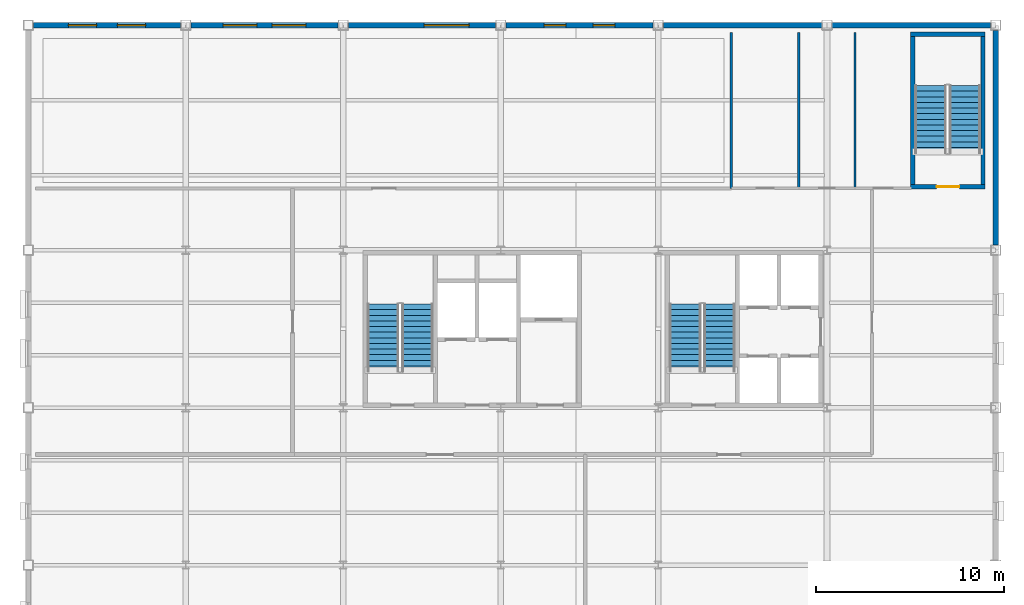
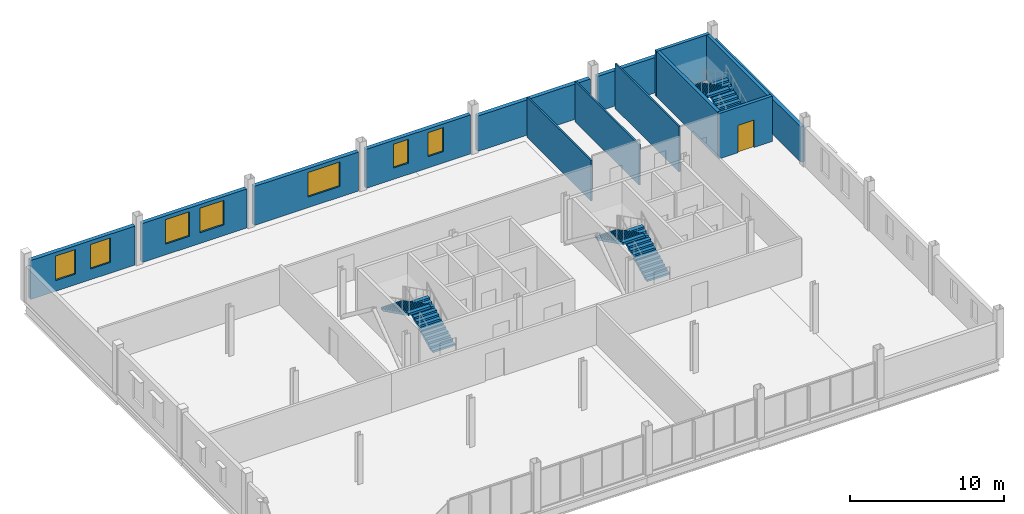
# One storey, part 14 of 17: 14 walls, 7 windows, 6 stair flights, 1 door, 8 openings, 3 elements without a shape of their own.
"""IFC4 building model written with IfcOpenShell, lengths in metres."""

from ifc_helpers import new_model, si_unit, direction, frame, frame_2d, origin, place, context, subcontext, project, spatial, polyline, rectangle, outline, extrude, material, layer, layer_set, type_object, element, fill, aggregate, save


model = new_model("IFC4")

# Units and contexts
model_context = context("Model", 3, precision=1e-05, world=origin(), true_north=direction((0.0, 1.0)))
body_context = subcontext(model_context, "Body", "Model", "MODEL_VIEW")
ifc_project = project(units=[si_unit("LENGTHUNIT", "METRE"), si_unit("AREAUNIT", "SQUARE_METRE"), si_unit("VOLUMEUNIT", "CUBIC_METRE"), si_unit("PLANEANGLEUNIT", "RADIAN"), si_unit("MASSUNIT", "GRAM", prefix="KILO")], contexts=[model_context])

# Site, building, storey
site_placement = place(None, origin())
site = spatial("IfcSite", under=ifc_project, at=site_placement, CompositionType="ELEMENT")
building_placement = place(site_placement, origin())
building = spatial("IfcBuilding", under=site, at=building_placement, Name="Yukiwa Park Conservatory and Herbarium", CompositionType="ELEMENT")
storey_placement = place(building_placement, frame((0.0, 0.0, 17.10009765625)))
storey = spatial("IfcBuildingStorey", under=building, at=storey_placement, Name="L04", CompositionType="ELEMENT", Elevation=17.10009765625)

# Wall, opening, door
ifc_material_1 = material(Name="Concrete C50", Category="concrete")
ifc_layer_1 = layer(ifc_material_1, 0.239990234375)
ifc_layer_set_1 = layer_set([ifc_layer_1], Name="Concrete C50")
wall_type_1 = type_object("IfcWallType", Name="WL-CORE-RC240", PredefinedType="SHEAR", material=ifc_layer_set_1)
wall_1_placement = place(storey_placement, frame((163.449951171875, 106.580078125, 0.0), z_axis=(0.0, 0.0, 1.0), x_axis=(1.0, 0.0, 0.0)))
wall_1 = element("IfcWall", 1, at=wall_1_placement, inside=storey, type_object=wall_type_1, Name="L04 core shear wall 369", PredefinedType="SHEAR", context=body_context, shape_type="SweptSolid", body=[
    extrude(rectangle(XDim=3.989990234375, YDim=0.239990234375, at=frame_2d((1.9951171875, 0.0))), origin(), (0.0, 0.0, 1.0), 3.599853515625),
])
opening_1_placement = place(wall_1_placement, frame((1.39501953125, 0.0, 0.0)))
opening_1 = element("IfcOpeningElement", 2, at=opening_1_placement, cuts=wall_1, Name="Opening SD-01", PredefinedType="OPENING", context=body_context, shape_type="SweptSolid", body=[
    extrude(rectangle(XDim=1.219970703125, YDim=2.179931640625, at=frame_2d((0.60986328125, 1.08984375))), frame((0.0, 0.1298828125, 0.0), z_axis=(0.0, -1.0, 0.0), x_axis=(1.0, 0.0, 0.0)), (0.0, 0.0, 1.0), 0.260009765625),
])
ifc_material_2 = material(Name="Steel Q235B", Category="steel")
door_type = type_object("IfcDoorType", Name="DR-STAIR-FD90-1200", OperationType="SINGLE_SWING_LEFT", PredefinedType="DOOR", material=ifc_material_2)
door_placement = place(opening_1_placement, origin())
door = element("IfcDoor", 3, at=door_placement, inside=storey, type_object=door_type, Name="L04 Stairwell ST-T3 fire door", OperationType="SINGLE_SWING_LEFT", OverallHeight=2.179931640625, OverallWidth=1.219970703125, PredefinedType="DOOR", context=body_context, shape_type="SweptSolid", body=[
    extrude(rectangle(XDim=1.219970703125, YDim=2.179931640625, at=frame_2d((0.60986328125, 1.08984375))), frame((0.0, 0.02490234375, 0.0), z_axis=(0.0, -1.0, 0.0), x_axis=(1.0, 0.0, 0.0)), (0.0, 0.0, 1.0), 0.050048828125),
])
fill(opening_1, door)

# Walls
wall_2_placement = place(storey_placement, frame((163.449951171875, 114.719970703125, 0.0), z_axis=(0.0, 0.0, 1.0), x_axis=(1.0, 0.0, 0.0)))
element("IfcWall", 4, at=wall_2_placement, inside=storey, type_object=wall_type_1, Name="L04 core shear wall 370", PredefinedType="SHEAR", context=body_context, shape_type="SweptSolid", body=[
    extrude(rectangle(XDim=3.989990234375, YDim=0.239990234375, at=frame_2d((1.9951171875, 0.0))), origin(), (0.0, 0.0, 1.0), 3.599853515625),
])
for number, where, z_axis, x_axis, name in (
    (5, (163.570068359375, 106.699951171875, 0.0), (0.0, 0.0, 1.0), (0.0, 1.0, 0.0), "L04 core shear wall 371"),
    (6, (167.320068359375, 106.699951171875, 0.0), (0.0, 0.0, 1.0), (0.0, 1.0, 0.0), "L04 core shear wall 372"),
):
    element("IfcWall", number, at=place(storey_placement, frame(where, z_axis=z_axis, x_axis=x_axis)), inside=storey, type_object=wall_type_1, Name=name, PredefinedType="SHEAR", context=body_context, shape_type="SweptSolid", body=[
        extrude(rectangle(XDim=7.900146484375, YDim=0.239990234375, at=frame_2d((3.9501953125, 0.0))), origin(), (0.0, 0.0, 1.0), 3.599853515625),
    ])
ifc_material_3 = material(Name="Pale Granite Cladding", Category="masonry")
ifc_layer_2 = layer(ifc_material_3, 0.300048828125)
ifc_layer_set_2 = layer_set([ifc_layer_2], Name="Pale Granite Cladding")
wall_type_2 = type_object("IfcWallType", Name="WL-EXT-GRAN-300", PredefinedType="SOLIDWALL", material=ifc_layer_set_2)
wall_3_placement = place(storey_placement, frame((168.0, 103.47509765625, 0.0), z_axis=(0.0, 0.0, 1.0), x_axis=(0.0, 1.0, 0.0)))
element("IfcWall", 7, at=wall_3_placement, inside=storey, type_object=wall_type_2, Name="L04 exterior envelope wall 262", PredefinedType="SOLIDWALL", context=body_context, shape_type="SweptSolid", body=[
    extrude(rectangle(XDim=11.449951171875, YDim=0.300048828125, at=frame_2d((5.72509765625, 0.0))), origin(), (0.0, 0.0, 1.0), 2.807861328125),
])
for number, where, z_axis, x_axis, name in (
    (8, (167.72509765625, 115.199951171875, 0.0), (0.0, 0.0, 1.0), (-1.0, 0.0, 0.0), "L04 exterior envelope wall 263"),
    (9, (158.72509765625, 115.199951171875, 0.0), (0.0, 0.0, 1.0), (-1.0, 0.0, 0.0), "L04 exterior envelope wall 264"),
):
    element("IfcWall", number, at=place(storey_placement, frame(where, z_axis=z_axis, x_axis=x_axis)), inside=storey, type_object=wall_type_2, Name=name, PredefinedType="SOLIDWALL", context=body_context, shape_type="SweptSolid", body=[
        extrude(rectangle(XDim=8.4501953125, YDim=0.300048828125, at=frame_2d((4.22509765625, 0.0))), origin(), (0.0, 0.0, 1.0), 2.807861328125),
    ])

# Wall, openings, windows
wall_4_placement = place(storey_placement, frame((149.72509765625, 115.199951171875, 0.0), z_axis=(0.0, 0.0, 1.0), x_axis=(-1.0, 0.0, 0.0)))
wall_4 = element("IfcWall", 10, at=wall_4_placement, inside=storey, type_object=wall_type_2, Name="L04 exterior envelope wall 265", PredefinedType="SOLIDWALL", context=body_context, shape_type="SweptSolid", body=[
    extrude(rectangle(XDim=7.85009765625, YDim=0.300048828125, at=frame_2d((3.925048828125, 0.0))), origin(), (0.0, 0.0, 1.0), 3.099853515625),
])
opening_2_placement = place(wall_4_placement, frame((2.0419921875, 0.0, 0.89990234375)))
opening_2 = element("IfcOpeningElement", 11, at=opening_2_placement, cuts=wall_4, Name="Opening W-22", PredefinedType="OPENING", context=body_context, shape_type="SweptSolid", body=[
    extrude(rectangle(XDim=1.14990234375, YDim=1.89990234375, at=frame_2d((0.574951171875, 0.949951171875))), frame((0.0, 0.16015625, 0.0), z_axis=(0.0, -1.0, 0.0), x_axis=(1.0, 0.0, 0.0)), (0.0, 0.0, 1.0), 0.320068359375),
])
opening_3_placement = place(wall_4_placement, frame((4.657958984375, 0.0, 0.89990234375)))
opening_3 = element("IfcOpeningElement", 12, at=opening_3_placement, cuts=wall_4, Name="Opening W-22", PredefinedType="OPENING", context=body_context, shape_type="SweptSolid", body=[
    extrude(rectangle(XDim=1.14990234375, YDim=1.89990234375, at=frame_2d((0.574951171875, 0.949951171875))), frame((0.0, 0.16015625, 0.0), z_axis=(0.0, -1.0, 0.0), x_axis=(1.0, 0.0, 0.0)), (0.0, 0.0, 1.0), 0.320068359375),
])
ifc_material_4 = material(Name="Triple Low-E Insulated Glass", Category="glass")
window_type_1 = type_object("IfcWindowType", Name="WN-TW-1150X2000", PartitioningType="SINGLE_PANEL", PredefinedType="WINDOW", material=ifc_material_4)
window_1_placement = place(opening_2_placement, origin())
window_1 = element("IfcWindow", 13, at=window_1_placement, inside=storey, type_object=window_type_1, Name="L04 deep-reveal triple-glazed window 204", OverallHeight=1.89990234375, OverallWidth=1.14990234375, PartitioningType="SINGLE_PANEL", PredefinedType="WINDOW", context=body_context, shape_type="SweptSolid", body=[
    extrude(rectangle(XDim=1.14990234375, YDim=1.89990234375, at=frame_2d((0.574951171875, 0.949951171875))), frame((0.0, 0.030029296875, 0.0), z_axis=(0.0, -1.0, 0.0), x_axis=(1.0, 0.0, 0.0)), (0.0, 0.0, 1.0), 0.06005859375),
])
fill(opening_2, window_1)
window_2_placement = place(opening_3_placement, origin())
window_2 = element("IfcWindow", 14, at=window_2_placement, inside=storey, type_object=window_type_1, Name="L04 deep-reveal triple-glazed window 205", OverallHeight=1.89990234375, OverallWidth=1.14990234375, PartitioningType="SINGLE_PANEL", PredefinedType="WINDOW", context=body_context, shape_type="SweptSolid", body=[
    extrude(rectangle(XDim=1.14990234375, YDim=1.89990234375, at=frame_2d((0.574951171875, 0.949951171875))), frame((0.0, 0.030029296875, 0.0), z_axis=(0.0, -1.0, 0.0), x_axis=(1.0, 0.0, 0.0)), (0.0, 0.0, 1.0), 0.06005859375),
])
fill(opening_3, window_2)

# Wall, opening, window
wall_5_placement = place(storey_placement, frame((141.324951171875, 115.199951171875, 0.0), z_axis=(0.0, 0.0, 1.0), x_axis=(-1.0, 0.0, 0.0)))
wall_5 = element("IfcWall", 15, at=wall_5_placement, inside=storey, type_object=wall_type_2, Name="L04 exterior envelope wall 266", PredefinedType="SOLIDWALL", context=body_context, shape_type="SweptSolid", body=[
    extrude(rectangle(XDim=7.849853515625, YDim=0.300048828125, at=frame_2d((3.9248046875, 0.0))), origin(), (0.0, 0.0, 1.0), 3.099853515625),
])
opening_4_placement = place(wall_5_placement, frame((1.4169921875, 0.0, 0.85009765625)))
opening_4 = element("IfcOpeningElement", 16, at=opening_4_placement, cuts=wall_5, Name="Opening W-09", PredefinedType="OPENING", context=body_context, shape_type="SweptSolid", body=[
    extrude(rectangle(XDim=2.39990234375, YDim=1.949951171875, at=frame_2d((1.199951171875, 0.97509765625))), frame((0.0, 0.16015625, 0.0), z_axis=(0.0, -1.0, 0.0), x_axis=(1.0, 0.0, 0.0)), (0.0, 0.0, 1.0), 0.320068359375),
])
ifc_material_5 = material(Name="Triple Low-E Insulated Glass", Category="glass")
window_type_2 = type_object("IfcWindowType", Name="WN-TW-2400X2100", PartitioningType="SINGLE_PANEL", PredefinedType="WINDOW", material=ifc_material_5)
window_3_placement = place(opening_4_placement, origin())
window_3 = element("IfcWindow", 17, at=window_3_placement, inside=storey, type_object=window_type_2, Name="L04 deep-reveal triple-glazed window 206", OverallHeight=1.949951171875, OverallWidth=2.39990234375, PartitioningType="SINGLE_PANEL", PredefinedType="WINDOW", context=body_context, shape_type="SweptSolid", body=[
    extrude(rectangle(XDim=2.39990234375, YDim=1.949951171875, at=frame_2d((1.199951171875, 0.97509765625))), frame((0.0, 0.030029296875, 0.0), z_axis=(0.0, -1.0, 0.0), x_axis=(1.0, 0.0, 0.0)), (0.0, 0.0, 1.0), 0.06005859375),
])
fill(opening_4, window_3)

# Wall, openings, windows
wall_6_placement = place(storey_placement, frame((132.925048828125, 115.199951171875, 0.0), z_axis=(0.0, 0.0, 1.0), x_axis=(-1.0, 0.0, 0.0)))
wall_6 = element("IfcWall", 18, at=wall_6_placement, inside=storey, type_object=wall_type_2, Name="L04 exterior envelope wall 267", PredefinedType="SOLIDWALL", context=body_context, shape_type="SweptSolid", body=[
    extrude(rectangle(XDim=7.85009765625, YDim=0.300048828125, at=frame_2d((3.925048828125, 0.0))), origin(), (0.0, 0.0, 1.0), 3.099853515625),
])
opening_5_placement = place(wall_6_placement, frame((1.717041015625, 0.0, 0.85009765625)))
opening_5 = element("IfcOpeningElement", 19, at=opening_5_placement, cuts=wall_6, Name="Opening W-07", PredefinedType="OPENING", context=body_context, shape_type="SweptSolid", body=[
    extrude(rectangle(XDim=1.800048828125, YDim=1.949951171875, at=frame_2d((0.89990234375, 0.97509765625))), frame((0.0, 0.16015625, 0.0), z_axis=(0.0, -1.0, 0.0), x_axis=(1.0, 0.0, 0.0)), (0.0, 0.0, 1.0), 0.320068359375),
])
opening_6_placement = place(wall_6_placement, frame((4.3330078125, 0.0, 0.85009765625)))
opening_6 = element("IfcOpeningElement", 20, at=opening_6_placement, cuts=wall_6, Name="Opening W-07", PredefinedType="OPENING", context=body_context, shape_type="SweptSolid", body=[
    extrude(rectangle(XDim=1.800048828125, YDim=1.949951171875, at=frame_2d((0.89990234375, 0.97509765625))), frame((0.0, 0.16015625, 0.0), z_axis=(0.0, -1.0, 0.0), x_axis=(1.0, 0.0, 0.0)), (0.0, 0.0, 1.0), 0.320068359375),
])
ifc_material_6 = material(Name="Triple Low-E Insulated Glass", Category="glass")
window_type_3 = type_object("IfcWindowType", Name="WN-TW-1800X2100", PartitioningType="SINGLE_PANEL", PredefinedType="WINDOW", material=ifc_material_6)
window_4_placement = place(opening_5_placement, origin())
window_4 = element("IfcWindow", 21, at=window_4_placement, inside=storey, type_object=window_type_3, Name="L04 deep-reveal triple-glazed window 207", OverallHeight=1.949951171875, OverallWidth=1.800048828125, PartitioningType="SINGLE_PANEL", PredefinedType="WINDOW", context=body_context, shape_type="SweptSolid", body=[
    extrude(rectangle(XDim=1.800048828125, YDim=1.949951171875, at=frame_2d((0.89990234375, 0.97509765625))), frame((0.0, 0.030029296875, 0.0), z_axis=(0.0, -1.0, 0.0), x_axis=(1.0, 0.0, 0.0)), (0.0, 0.0, 1.0), 0.06005859375),
])
fill(opening_5, window_4)
window_5_placement = place(opening_6_placement, origin())
window_5 = element("IfcWindow", 22, at=window_5_placement, inside=storey, type_object=window_type_3, Name="L04 deep-reveal triple-glazed window 208", OverallHeight=1.949951171875, OverallWidth=1.800048828125, PartitioningType="SINGLE_PANEL", PredefinedType="WINDOW", context=body_context, shape_type="SweptSolid", body=[
    extrude(rectangle(XDim=1.800048828125, YDim=1.949951171875, at=frame_2d((0.89990234375, 0.97509765625))), frame((0.0, 0.030029296875, 0.0), z_axis=(0.0, -1.0, 0.0), x_axis=(1.0, 0.0, 0.0)), (0.0, 0.0, 1.0), 0.06005859375),
])
fill(opening_6, window_5)

wall_7_placement = place(storey_placement, frame((124.52490234375, 115.199951171875, 0.0), z_axis=(0.0, 0.0, 1.0), x_axis=(-1.0, 0.0, 0.0)))
wall_7 = element("IfcWall", 23, at=wall_7_placement, inside=storey, type_object=wall_type_2, Name="L04 exterior envelope wall 268", PredefinedType="SOLIDWALL", context=body_context, shape_type="SweptSolid", body=[
    extrude(rectangle(XDim=7.849853515625, YDim=0.300048828125, at=frame_2d((3.9248046875, 0.0))), origin(), (0.0, 0.0, 1.0), 3.099853515625),
])
opening_7_placement = place(wall_7_placement, frame((1.866943359375, 0.0, 0.85009765625)))
opening_7 = element("IfcOpeningElement", 24, at=opening_7_placement, cuts=wall_7, Name="Opening W-05", PredefinedType="OPENING", context=body_context, shape_type="SweptSolid", body=[
    extrude(rectangle(XDim=1.5, YDim=1.949951171875, at=frame_2d((0.75, 0.97509765625))), frame((0.0, 0.16015625, 0.0), z_axis=(0.0, -1.0, 0.0), x_axis=(1.0, 0.0, 0.0)), (0.0, 0.0, 1.0), 0.320068359375),
])
opening_8_placement = place(wall_7_placement, frame((4.48291015625, 0.0, 0.85009765625)))
opening_8 = element("IfcOpeningElement", 25, at=opening_8_placement, cuts=wall_7, Name="Opening W-05", PredefinedType="OPENING", context=body_context, shape_type="SweptSolid", body=[
    extrude(rectangle(XDim=1.5, YDim=1.949951171875, at=frame_2d((0.75, 0.97509765625))), frame((0.0, 0.16015625, 0.0), z_axis=(0.0, -1.0, 0.0), x_axis=(1.0, 0.0, 0.0)), (0.0, 0.0, 1.0), 0.320068359375),
])
ifc_material_7 = material(Name="Triple Low-E Insulated Glass", Category="glass")
window_type_4 = type_object("IfcWindowType", Name="WN-TW-1500X2100", PartitioningType="SINGLE_PANEL", PredefinedType="WINDOW", material=ifc_material_7)
window_6_placement = place(opening_7_placement, origin())
window_6 = element("IfcWindow", 26, at=window_6_placement, inside=storey, type_object=window_type_4, Name="L04 deep-reveal triple-glazed window 209", OverallHeight=1.949951171875, OverallWidth=1.5, PartitioningType="SINGLE_PANEL", PredefinedType="WINDOW", context=body_context, shape_type="SweptSolid", body=[
    extrude(rectangle(XDim=1.5, YDim=1.949951171875, at=frame_2d((0.75, 0.97509765625))), frame((0.0, 0.030029296875, 0.0), z_axis=(0.0, -1.0, 0.0), x_axis=(1.0, 0.0, 0.0)), (0.0, 0.0, 1.0), 0.06005859375),
])
fill(opening_7, window_6)
window_7_placement = place(opening_8_placement, origin())
window_7 = element("IfcWindow", 27, at=window_7_placement, inside=storey, type_object=window_type_4, Name="L04 deep-reveal triple-glazed window 210", OverallHeight=1.949951171875, OverallWidth=1.5, PartitioningType="SINGLE_PANEL", PredefinedType="WINDOW", context=body_context, shape_type="SweptSolid", body=[
    extrude(rectangle(XDim=1.5, YDim=1.949951171875, at=frame_2d((0.75, 0.97509765625))), frame((0.0, 0.030029296875, 0.0), z_axis=(0.0, -1.0, 0.0), x_axis=(1.0, 0.0, 0.0)), (0.0, 0.0, 1.0), 0.06005859375),
])
fill(opening_8, window_7)

# Walls
ifc_material_8 = material(Name="Gypsum Board Partition", Category="gypsum")
ifc_layer_3 = layer(ifc_material_8, 0.1201171875)
ifc_layer_set_3 = layer_set([ifc_layer_3], Name="Gypsum Board Partition")
wall_type_3 = type_object("IfcWallType", Name="WL-PART-WET-150", PredefinedType="PARTITIONING", material=ifc_layer_set_3)
for number, where, z_axis, x_axis, name in (
    (28, (153.89990234375, 106.5, 0.0), (0.0, 0.0, 1.0), (0.0, 1.0, 0.0), "L04 interior partition wall 376"),
    (29, (157.5, 106.5, 0.0), (0.0, 0.0, 1.0), (0.0, 1.0, 0.0), "L04 interior partition wall 377"),
):
    element("IfcWall", number, at=place(storey_placement, frame(where, z_axis=z_axis, x_axis=x_axis)), inside=storey, type_object=wall_type_3, Name=name, PredefinedType="PARTITIONING", context=body_context, shape_type="SweptSolid", body=[
        extrude(rectangle(XDim=8.300048828125, YDim=0.1201171875, at=frame_2d((4.14990234375, 0.0))), origin(), (0.0, 0.0, 1.0), 3.199951171875),
    ])
wall_8_placement = place(storey_placement, frame((160.5, 106.5, 0.0), z_axis=(0.0, 0.0, 1.0), x_axis=(0.0, 1.0, 0.0)))
element("IfcWall", 30, at=wall_8_placement, inside=storey, type_object=wall_type_3, Name="L04 interior partition wall 378", PredefinedType="PARTITIONING", context=body_context, shape_type="SweptSolid", body=[
    extrude(rectangle(XDim=8.300048828125, YDim=0.1201171875, at=frame_2d((4.14990234375, 0.0))), origin(), (0.0, 0.0, 1.0), 3.599853515625),
])

# Stair, stair flights
ifc_material_9 = material(Name="Concrete C40", Category="concrete")
stair_type_1 = type_object("IfcStairType", Name="ST-DOGLEG-ST-T1", PredefinedType="HALF_TURN_STAIR", material=ifc_material_9)
stair_1_placement = place(storey_placement, origin())
stair_1 = element("IfcStair", 31, at=stair_1_placement, inside=storey, type_object=stair_type_1, Name="L04 Protected Smoke-Proof Stair ST-T1", PredefinedType="HALF_TURN_STAIR")
ifc_material_10 = material(Name="Concrete C40", Category="concrete")
stair_flight_type = type_object("IfcStairFlightType", Name="STF-RC-1680", PredefinedType="STRAIGHT", material=ifc_material_10)
stair_flight_1_placement = place(storey_placement, frame((137.159912109375, 96.72998046875, 0.0), z_axis=(0.0, 0.0, 1.0), x_axis=(0.0, 1.0, 0.0)))
stair_flight_1 = element("IfcStairFlight", 32, at=stair_flight_1_placement, type_object=stair_flight_type, Name="ST-T1 flight 1", NumberOfRisers=13, NumberOfTreads=12, PredefinedType="STRAIGHT", RiserHeight=0.15, TreadLength=0.3, context=body_context, shape_type="SweptSolid", body=[
    extrude(outline(polyline([(0.0, 0.0), (0.0, 0.14990234375), (0.300048828125, 0.14990234375), (0.300048828125, 0.300048828125), (0.60009765625, 0.300048828125), (0.60009765625, 0.449951171875), (0.89990234375, 0.449951171875), (0.89990234375, 0.60009765625), (1.199951171875, 0.60009765625), (1.199951171875, 0.75), (1.5, 0.75), (1.5, 0.89990234375), (1.800048828125, 0.89990234375), (1.800048828125, 1.050048828125), (2.10009765625, 1.050048828125), (2.10009765625, 1.199951171875), (2.39990234375, 1.199951171875), (2.39990234375, 1.35009765625), (2.699951171875, 1.35009765625), (2.699951171875, 1.5), (3.0, 1.5), (3.0, 1.64990234375), (3.300048828125, 1.64990234375), (3.300048828125, 1.800048828125), (3.60009765625, 1.800048828125), (3.60009765625, 1.949951171875), (3.60009765625, 1.63232421875), (0.335205078125, 0.0), (0.0, 0.0)])), frame((0.0, 0.83984375, 0.0), z_axis=(0.0, -1.0, 0.0), x_axis=(1.0, 0.0, 0.0)), (0.0, 0.0, 1.0), 1.679931640625),
])
stair_flight_2_placement = place(storey_placement, frame((135.330078125, 100.330078125, 1.949951171875), z_axis=(0.0, 0.0, 1.0), x_axis=(0.0, -1.0, 0.0)))
stair_flight_2 = element("IfcStairFlight", 33, at=stair_flight_2_placement, type_object=stair_flight_type, Name="ST-T1 flight 2", NumberOfRisers=13, NumberOfTreads=12, PredefinedType="STRAIGHT", RiserHeight=0.15, TreadLength=0.3, context=body_context, shape_type="SweptSolid", body=[
    extrude(outline(polyline([(0.0, 0.0), (0.0, 0.14990234375), (0.300048828125, 0.14990234375), (0.300048828125, 0.300048828125), (0.60009765625, 0.300048828125), (0.60009765625, 0.449951171875), (0.89990234375, 0.449951171875), (0.89990234375, 0.60009765625), (1.199951171875, 0.60009765625), (1.199951171875, 0.75), (1.5, 0.75), (1.5, 0.89990234375), (1.800048828125, 0.89990234375), (1.800048828125, 1.050048828125), (2.10009765625, 1.050048828125), (2.10009765625, 1.199951171875), (2.39990234375, 1.199951171875), (2.39990234375, 1.35009765625), (2.699951171875, 1.35009765625), (2.699951171875, 1.5), (3.0, 1.5), (3.0, 1.64990234375), (3.300048828125, 1.64990234375), (3.300048828125, 1.800048828125), (3.60009765625, 1.800048828125), (3.60009765625, 1.949951171875), (3.60009765625, 1.63232421875), (0.335205078125, 0.0), (0.0, 0.0)])), frame((0.0, 0.83984375, 0.0), z_axis=(0.0, -1.0, 0.0), x_axis=(1.0, 0.0, 0.0)), (0.0, 0.0, 1.0), 1.679931640625),
])
aggregate(stair_1, [stair_flight_1, stair_flight_2])

ifc_material_11 = material(Name="Concrete C40", Category="concrete")
stair_type_2 = type_object("IfcStairType", Name="ST-DOGLEG-ST-T2", PredefinedType="HALF_TURN_STAIR", material=ifc_material_11)
stair_2_placement = place(storey_placement, origin())
stair_2 = element("IfcStair", 34, at=stair_2_placement, inside=storey, type_object=stair_type_2, Name="L04 Protected Smoke-Proof Stair ST-T2", PredefinedType="HALF_TURN_STAIR")
stair_flight_3_placement = place(storey_placement, frame((153.27001953125, 96.72998046875, 0.0), z_axis=(0.0, 0.0, 1.0), x_axis=(0.0, 1.0, 0.0)))
stair_flight_3 = element("IfcStairFlight", 35, at=stair_flight_3_placement, type_object=stair_flight_type, Name="ST-T2 flight 1", NumberOfRisers=13, NumberOfTreads=12, PredefinedType="STRAIGHT", RiserHeight=0.15, TreadLength=0.3, context=body_context, shape_type="SweptSolid", body=[
    extrude(outline(polyline([(0.0, 0.0), (0.0, 0.14990234375), (0.300048828125, 0.14990234375), (0.300048828125, 0.300048828125), (0.60009765625, 0.300048828125), (0.60009765625, 0.449951171875), (0.89990234375, 0.449951171875), (0.89990234375, 0.60009765625), (1.199951171875, 0.60009765625), (1.199951171875, 0.75), (1.5, 0.75), (1.5, 0.89990234375), (1.800048828125, 0.89990234375), (1.800048828125, 1.050048828125), (2.10009765625, 1.050048828125), (2.10009765625, 1.199951171875), (2.39990234375, 1.199951171875), (2.39990234375, 1.35009765625), (2.699951171875, 1.35009765625), (2.699951171875, 1.5), (3.0, 1.5), (3.0, 1.64990234375), (3.300048828125, 1.64990234375), (3.300048828125, 1.800048828125), (3.60009765625, 1.800048828125), (3.60009765625, 1.949951171875), (3.60009765625, 1.63232421875), (0.335205078125, 0.0), (0.0, 0.0)])), frame((0.0, 0.83984375, 0.0), z_axis=(0.0, -1.0, 0.0), x_axis=(1.0, 0.0, 0.0)), (0.0, 0.0, 1.0), 1.679931640625),
])
stair_flight_4_placement = place(storey_placement, frame((151.43994140625, 100.330078125, 1.949951171875), z_axis=(0.0, 0.0, 1.0), x_axis=(0.0, -1.0, 0.0)))
stair_flight_4 = element("IfcStairFlight", 36, at=stair_flight_4_placement, type_object=stair_flight_type, Name="ST-T2 flight 2", NumberOfRisers=13, NumberOfTreads=12, PredefinedType="STRAIGHT", RiserHeight=0.15, TreadLength=0.3, context=body_context, shape_type="SweptSolid", body=[
    extrude(outline(polyline([(0.0, 0.0), (0.0, 0.14990234375), (0.300048828125, 0.14990234375), (0.300048828125, 0.300048828125), (0.60009765625, 0.300048828125), (0.60009765625, 0.449951171875), (0.89990234375, 0.449951171875), (0.89990234375, 0.60009765625), (1.199951171875, 0.60009765625), (1.199951171875, 0.75), (1.5, 0.75), (1.5, 0.89990234375), (1.800048828125, 0.89990234375), (1.800048828125, 1.050048828125), (2.10009765625, 1.050048828125), (2.10009765625, 1.199951171875), (2.39990234375, 1.199951171875), (2.39990234375, 1.35009765625), (2.699951171875, 1.35009765625), (2.699951171875, 1.5), (3.0, 1.5), (3.0, 1.64990234375), (3.300048828125, 1.64990234375), (3.300048828125, 1.800048828125), (3.60009765625, 1.800048828125), (3.60009765625, 1.949951171875), (3.60009765625, 1.63232421875), (0.335205078125, 0.0), (0.0, 0.0)])), frame((0.0, 0.83984375, 0.0), z_axis=(0.0, -1.0, 0.0), x_axis=(1.0, 0.0, 0.0)), (0.0, 0.0, 1.0), 1.679931640625),
])
aggregate(stair_2, [stair_flight_3, stair_flight_4])

ifc_material_12 = material(Name="Concrete C40", Category="concrete")
stair_type_3 = type_object("IfcStairType", Name="ST-DOGLEG-ST-T3", PredefinedType="HALF_TURN_STAIR", material=ifc_material_12)
stair_3_placement = place(storey_placement, origin())
stair_3 = element("IfcStair", 37, at=stair_3_placement, inside=storey, type_object=stair_type_3, Name="L04 Protected Smoke-Proof Stair ST-T3", PredefinedType="HALF_TURN_STAIR")
stair_flight_5_placement = place(storey_placement, frame((166.360107421875, 108.3798828125, 0.0), z_axis=(0.0, 0.0, 1.0), x_axis=(0.0, 1.0, 0.0)))
stair_flight_5 = element("IfcStairFlight", 38, at=stair_flight_5_placement, type_object=stair_flight_type, Name="ST-T3 flight 1", NumberOfRisers=13, NumberOfTreads=12, PredefinedType="STRAIGHT", RiserHeight=0.15, TreadLength=0.3, context=body_context, shape_type="SweptSolid", body=[
    extrude(outline(polyline([(0.0, 0.0), (0.0, 0.14990234375), (0.300048828125, 0.14990234375), (0.300048828125, 0.300048828125), (0.60009765625, 0.300048828125), (0.60009765625, 0.449951171875), (0.89990234375, 0.449951171875), (0.89990234375, 0.60009765625), (1.199951171875, 0.60009765625), (1.199951171875, 0.75), (1.5, 0.75), (1.5, 0.89990234375), (1.800048828125, 0.89990234375), (1.800048828125, 1.050048828125), (2.10009765625, 1.050048828125), (2.10009765625, 1.199951171875), (2.39990234375, 1.199951171875), (2.39990234375, 1.35009765625), (2.699951171875, 1.35009765625), (2.699951171875, 1.5), (3.0, 1.5), (3.0, 1.64990234375), (3.300048828125, 1.64990234375), (3.300048828125, 1.800048828125), (3.60009765625, 1.800048828125), (3.60009765625, 1.949951171875), (3.60009765625, 1.63232421875), (0.335205078125, 0.0), (0.0, 0.0)])), frame((0.0, 0.83984375, 0.0), z_axis=(0.0, -1.0, 0.0), x_axis=(1.0, 0.0, 0.0)), (0.0, 0.0, 1.0), 1.679931640625),
])
stair_flight_6_placement = place(storey_placement, frame((164.530029296875, 111.97998046875, 1.949951171875), z_axis=(0.0, 0.0, 1.0), x_axis=(0.0, -1.0, 0.0)))
stair_flight_6 = element("IfcStairFlight", 39, at=stair_flight_6_placement, type_object=stair_flight_type, Name="ST-T3 flight 2", NumberOfRisers=13, NumberOfTreads=12, PredefinedType="STRAIGHT", RiserHeight=0.15, TreadLength=0.3, context=body_context, shape_type="SweptSolid", body=[
    extrude(outline(polyline([(0.0, 0.0), (0.0, 0.14990234375), (0.300048828125, 0.14990234375), (0.300048828125, 0.300048828125), (0.60009765625, 0.300048828125), (0.60009765625, 0.449951171875), (0.89990234375, 0.449951171875), (0.89990234375, 0.60009765625), (1.199951171875, 0.60009765625), (1.199951171875, 0.75), (1.5, 0.75), (1.5, 0.89990234375), (1.800048828125, 0.89990234375), (1.800048828125, 1.050048828125), (2.10009765625, 1.050048828125), (2.10009765625, 1.199951171875), (2.39990234375, 1.199951171875), (2.39990234375, 1.35009765625), (2.699951171875, 1.35009765625), (2.699951171875, 1.5), (3.0, 1.5), (3.0, 1.64990234375), (3.300048828125, 1.64990234375), (3.300048828125, 1.800048828125), (3.60009765625, 1.800048828125), (3.60009765625, 1.949951171875), (3.60009765625, 1.63232421875), (0.335205078125, 0.0), (0.0, 0.0)])), frame((0.0, 0.83984375, 0.0), z_axis=(0.0, -1.0, 0.0), x_axis=(1.0, 0.0, 0.0)), (0.0, 0.0, 1.0), 1.679931640625),
])
aggregate(stair_3, [stair_flight_5, stair_flight_6])

save(model, "model.ifc")
